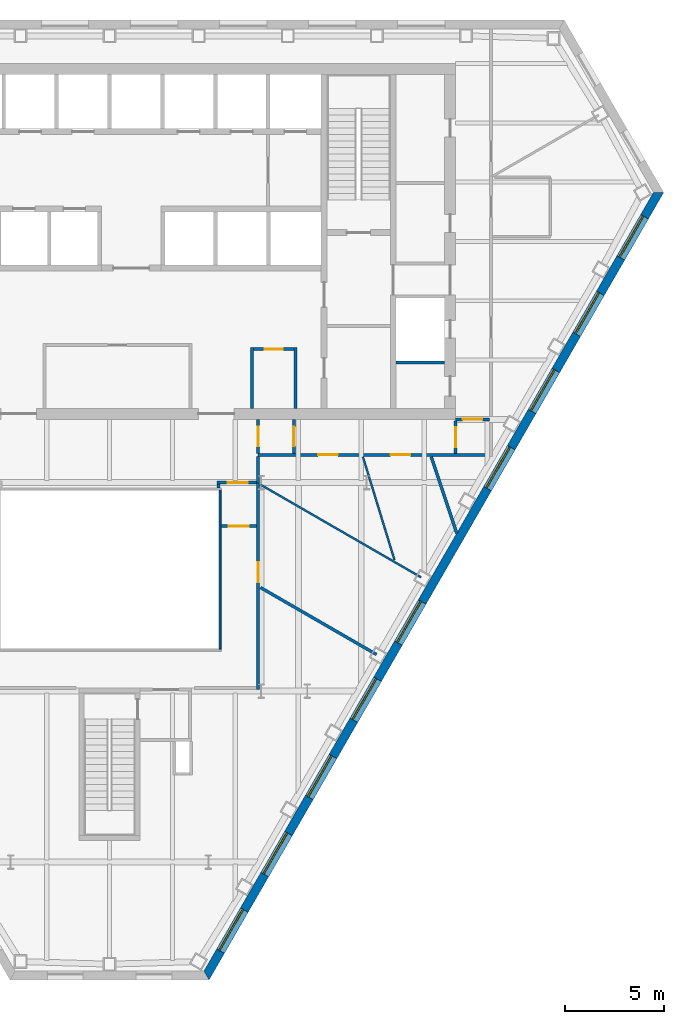
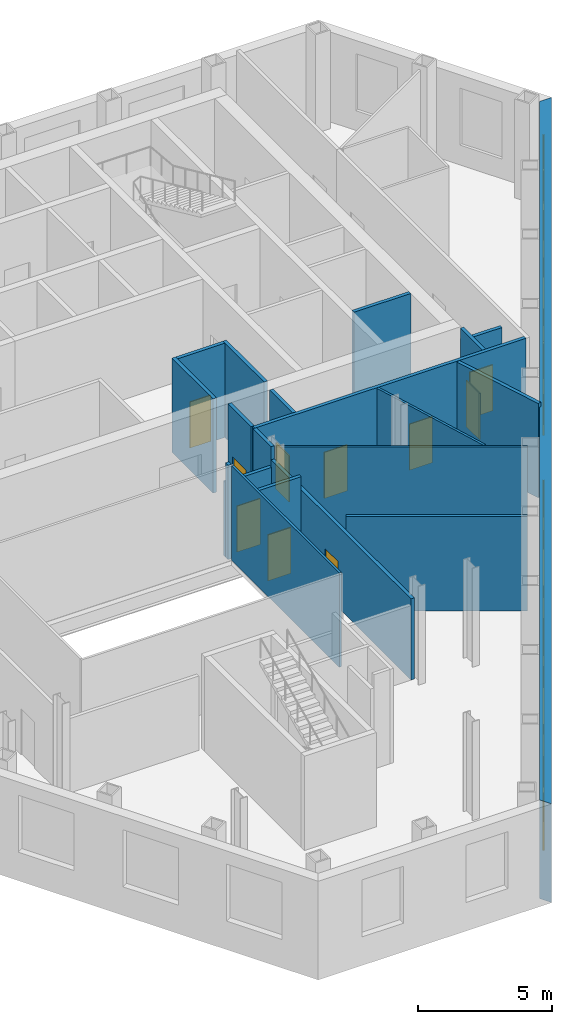
# One storey, part 5 of 11: 20 walls, 10 doors, 9 windows, 19 openings.
"""IFC4 building model written with IfcOpenShell, lengths in metres."""

from ifc_helpers import new_model, si_unit, direction, frame, frame_2d, origin, place, context, subcontext, project, spatial, polyline, rectangle, outline, extrude, material, layer, layer_set, type_object, element, fill, save


model = new_model("IFC4")

# Units and contexts
model_context = context("Model", 3, precision=1e-05, world=origin(), true_north=direction((0.0, 1.0)))
body_context = subcontext(model_context, "Body", "Model", "MODEL_VIEW")
ifc_project = project(units=[si_unit("LENGTHUNIT", "METRE"), si_unit("AREAUNIT", "SQUARE_METRE"), si_unit("VOLUMEUNIT", "CUBIC_METRE"), si_unit("PLANEANGLEUNIT", "RADIAN"), si_unit("MASSUNIT", "GRAM", prefix="KILO")], contexts=[model_context])

# Site, building, storey
site_placement = place(None, origin())
site = spatial("IfcSite", under=ifc_project, at=site_placement, CompositionType="ELEMENT")
building_placement = place(site_placement, origin())
building = spatial("IfcBuilding", under=site, at=building_placement, Name="Njiva Tower", CompositionType="ELEMENT")
storey_placement = place(building_placement, frame((0.0, 0.0, 102.3)))
storey = spatial("IfcBuildingStorey", under=building, at=storey_placement, Name="L21", CompositionType="ELEMENT", Elevation=102.3)

# Walls
ifc_material_1 = material(Name="Blockwork", Category="masonry")
ifc_layer_1 = layer(ifc_material_1, 0.15)
ifc_layer_set_1 = layer_set([ifc_layer_1], Name="Blockwork")
wall_type_1 = type_object("IfcWallType", Name="WT1 Compartment partition 150", PredefinedType="PARTITIONING", material=ifc_layer_set_1)
for number, where, z_axis, x_axis, name in (
    (1, (7.2, 0.55, 0.0), (0.0, 0.0, 1.0), (0.0, 1.0, 0.0), "Tenant reception wall west"),
    (2, (9.4, 0.55, 0.0), (0.0, 0.0, 1.0), (0.0, 1.0, 0.0), "Tenant reception wall east"),
):
    element("IfcWall", number, at=place(storey_placement, frame(where, z_axis=z_axis, x_axis=x_axis)), inside=storey, type_object=wall_type_1, Name=name, PredefinedType="PARTITIONING", context=body_context, shape_type="SweptSolid", body=[
        extrude(rectangle(XDim=3.075, YDim=0.15, at=frame_2d((1.5375, 0.0))), origin(), (0.0, 0.0, 1.0), 4.3),
    ])

# Wall, opening, door
wall_1_placement = place(storey_placement, frame((7.275, 3.55, 0.0), z_axis=(0.0, 0.0, 1.0), x_axis=(1.0, 0.0, 0.0)))
wall_1 = element("IfcWall", 3, at=wall_1_placement, inside=storey, type_object=wall_type_1, Name="Tenant reception wall north", PredefinedType="PARTITIONING", context=body_context, shape_type="SweptSolid", body=[
    extrude(rectangle(XDim=2.05, YDim=0.15, at=frame_2d((1.025, 0.0))), origin(), (0.0, 0.0, 1.0), 4.3),
])
opening_1_placement = place(wall_1_placement, frame((0.575, 0.0, 0.0)))
opening_1 = element("IfcOpeningElement", 4, at=opening_1_placement, cuts=wall_1, Name="Opening S07-D932", PredefinedType="OPENING", context=body_context, shape_type="SweptSolid", body=[
    extrude(rectangle(XDim=0.9, YDim=2.1, at=frame_2d((0.45, 1.05))), frame((0.0, 0.085, 0.0), z_axis=(0.0, -1.0, 0.0), x_axis=(1.0, 0.0, 0.0)), (0.0, 0.0, 1.0), 0.17),
])
ifc_material_2 = material(Name="Steel fire door, painted", Category="steel")
door_type_1 = type_object("IfcDoorType", Name="D6 Fire-rated door 900x2100", OperationType="SINGLE_SWING_LEFT", PredefinedType="DOOR", material=ifc_material_2)
door_1_placement = place(opening_1_placement, origin())
door_1 = element("IfcDoor", 5, at=door_1_placement, inside=storey, type_object=door_type_1, Name="Tenant reception door", OperationType="SINGLE_SWING_RIGHT", OverallHeight=2.1, OverallWidth=0.9, PredefinedType="DOOR", context=body_context, shape_type="SweptSolid", body=[
    extrude(rectangle(XDim=0.9, YDim=2.1, at=frame_2d((0.45, 1.05))), frame((0.0, 0.025, 0.0), z_axis=(0.0, -1.0, 0.0), x_axis=(1.0, 0.0, 0.0)), (0.0, 0.0, 1.0), 0.05),
])
fill(opening_1, door_1)

# Walls
ifc_material_3 = material(Name="Gypsum board on steel studs", Category="gypsum")
ifc_layer_2 = layer(ifc_material_3, 0.1)
ifc_layer_set_2 = layer_set([ifc_layer_2], Name="Gypsum board on steel studs")
wall_type_2 = type_object("IfcWallType", Name="WT20 Gypsum partition 100", PredefinedType="PARTITIONING", material=ifc_layer_set_2)
wall_2_placement = place(storey_placement, frame((7.62, -3.292, 0.0), z_axis=(0.0, 0.0, 1.0), x_axis=(0.866086324858, -0.499894466757, 0.0)))
element("IfcWall", 6, at=wall_2_placement, inside=storey, type_object=wall_type_2, Name="Partition S07-P023", PredefinedType="PARTITIONING", context=body_context, shape_type="SweptSolid", body=[
    extrude(rectangle(XDim=9.394, YDim=0.1, at=frame_2d((4.697, 0.0))), origin(), (0.0, 0.0, 1.0), 4.3),
])
wall_3_placement = place(storey_placement, frame((12.815, -1.89, 0.0), z_axis=(0.0, 0.0, 1.0), x_axis=(0.292567369611, -0.956244913314, 0.0)))
element("IfcWall", 7, at=wall_3_placement, inside=storey, type_object=wall_type_2, Name="Partition S07-P026", PredefinedType="PARTITIONING", context=body_context, shape_type="SweptSolid", body=[
    extrude(rectangle(XDim=5.462, YDim=0.1, at=frame_2d((2.731, 0.0))), origin(), (0.0, 0.0, 1.0), 4.3),
])

# Wall, opening, door
ifc_layer_3 = layer(ifc_material_3, 0.15)
ifc_layer_set_3 = layer_set([ifc_layer_3], Name="Gypsum board on steel studs")
wall_type_3 = type_object("IfcWallType", Name="WT21 Compartment wall 150", PredefinedType="PARTITIONING", material=ifc_layer_set_3)
wall_4_placement = place(storey_placement, frame((5.445, -3.2, 0.0), z_axis=(0.0, 0.0, 1.0), x_axis=(1.0, 0.0, 0.0)))
wall_4 = element("IfcWall", 8, at=wall_4_placement, inside=storey, type_object=wall_type_3, Name="Partition S07-P016", PredefinedType="PARTITIONING", context=body_context, shape_type="SweptSolid", body=[
    extrude(rectangle(XDim=2.0, YDim=0.15, at=frame_2d((1.0, 0.0))), origin(), (0.0, 0.0, 1.0), 3.39),
])
opening_2_placement = place(wall_4_placement, frame((0.538, 0.0, 0.0)))
opening_2 = element("IfcOpeningElement", 9, at=opening_2_placement, cuts=wall_4, Name="Opening S07-D010", PredefinedType="OPENING", context=body_context, shape_type="SweptSolid", body=[
    extrude(rectangle(XDim=1.0, YDim=2.1, at=frame_2d((0.5, 1.05))), frame((0.0, 0.085, 0.0), z_axis=(0.0, -1.0, 0.0), x_axis=(1.0, 0.0, 0.0)), (0.0, 0.0, 1.0), 0.17),
])
ifc_material_4 = material(Name="Steel fire door set", Category="steel")
door_type_2 = type_object("IfcDoorType", Name="D37 Fire door 1000x2100", OperationType="SINGLE_SWING_LEFT", PredefinedType="DOOR", material=ifc_material_4)
door_2_placement = place(opening_2_placement, origin())
door_2 = element("IfcDoor", 10, at=door_2_placement, inside=storey, type_object=door_type_2, Name="Door S07-D010", OperationType="SINGLE_SWING_LEFT", OverallHeight=2.1, OverallWidth=1.0, PredefinedType="DOOR", context=body_context, shape_type="SweptSolid", body=[
    extrude(rectangle(XDim=1.0, YDim=2.1, at=frame_2d((0.5, 1.05))), frame((0.0, 0.025, 0.0), z_axis=(0.0, -1.0, 0.0), x_axis=(1.0, 0.0, 0.0)), (0.0, 0.0, 1.0), 0.05),
])
fill(opening_2, door_2)

# Wall
wall_5_placement = place(storey_placement, frame((5.52, -3.48, 0.0), z_axis=(0.0, 0.0, 1.0), x_axis=(0.0, 1.0, 0.0)))
element("IfcWall", 11, at=wall_5_placement, inside=storey, type_object=wall_type_3, Name="Partition S07-P017", PredefinedType="PARTITIONING", context=body_context, shape_type="SweptSolid", body=[
    extrude(rectangle(XDim=0.205, YDim=0.15, at=frame_2d((0.1025, 0.0))), origin(), (0.0, 0.0, 1.0), 4.3),
])

# Wall, opening, door
wall_6_placement = place(storey_placement, frame((5.64, -5.4, 0.0), z_axis=(0.0, 0.0, 1.0), x_axis=(1.0, 0.0, 0.0)))
wall_6 = element("IfcWall", 12, at=wall_6_placement, inside=storey, type_object=wall_type_3, Name="Partition S07-P018", PredefinedType="PARTITIONING", context=body_context, shape_type="SweptSolid", body=[
    extrude(rectangle(XDim=1.805, YDim=0.15, at=frame_2d((0.9025, 0.0))), origin(), (0.0, 0.0, 1.0), 4.3),
])
opening_3_placement = place(wall_6_placement, frame((0.402, 0.0, 0.0)))
opening_3 = element("IfcOpeningElement", 13, at=opening_3_placement, cuts=wall_6, Name="Opening S07-D011", PredefinedType="OPENING", context=body_context, shape_type="SweptSolid", body=[
    extrude(rectangle(XDim=1.0, YDim=2.1, at=frame_2d((0.5, 1.05))), frame((0.0, 0.085, 0.0), z_axis=(0.0, -1.0, 0.0), x_axis=(1.0, 0.0, 0.0)), (0.0, 0.0, 1.0), 0.17),
])
door_3_placement = place(opening_3_placement, origin())
door_3 = element("IfcDoor", 14, at=door_3_placement, inside=storey, type_object=door_type_2, Name="Door S07-D011", OperationType="SINGLE_SWING_RIGHT", OverallHeight=2.1, OverallWidth=1.0, PredefinedType="DOOR", context=body_context, shape_type="SweptSolid", body=[
    extrude(rectangle(XDim=1.0, YDim=2.1, at=frame_2d((0.5, 1.05))), frame((0.0, 0.025, 0.0), z_axis=(0.0, -1.0, 0.0), x_axis=(1.0, 0.0, 0.0)), (0.0, 0.0, 1.0), 0.05),
])
fill(opening_3, door_3)

wall_7_placement = place(storey_placement, frame((7.52, -13.675, 0.0), z_axis=(0.0, 0.0, 1.0), x_axis=(0.0, 1.0, 0.0)))
wall_7 = element("IfcWall", 15, at=wall_7_placement, inside=storey, type_object=wall_type_3, Name="Partition S07-P019", PredefinedType="PARTITIONING", context=body_context, shape_type="SweptSolid", body=[
    extrude(rectangle(XDim=10.452, YDim=0.15, at=frame_2d((5.226, 0.0))), origin(), (0.0, 0.0, 1.0), 3.7),
])
opening_4_placement = place(wall_7_placement, frame((5.435, 0.0, 0.0)))
opening_4 = element("IfcOpeningElement", 16, at=opening_4_placement, cuts=wall_7, Name="Opening S07-D012", PredefinedType="OPENING", context=body_context, shape_type="SweptSolid", body=[
    extrude(rectangle(XDim=1.0, YDim=2.1, at=frame_2d((0.5, 1.05))), frame((0.0, 0.085, 0.0), z_axis=(0.0, -1.0, 0.0), x_axis=(1.0, 0.0, 0.0)), (0.0, 0.0, 1.0), 0.17),
])
door_4_placement = place(opening_4_placement, origin())
door_4 = element("IfcDoor", 17, at=door_4_placement, inside=storey, type_object=door_type_2, Name="Door S07-D012", OperationType="SINGLE_SWING_RIGHT", OverallHeight=2.1, OverallWidth=1.0, PredefinedType="DOOR", context=body_context, shape_type="SweptSolid", body=[
    extrude(rectangle(XDim=1.0, YDim=2.1, at=frame_2d((0.5, 1.05))), frame((0.0, 0.025, 0.0), z_axis=(0.0, -1.0, 0.0), x_axis=(1.0, 0.0, 0.0)), (0.0, 0.0, 1.0), 0.05),
])
fill(opening_4, door_4)

# Wall
wall_8_placement = place(storey_placement, frame((7.52, -3.223, 0.0), z_axis=(0.0, 0.0, 1.0), x_axis=(0.0, 1.0, 0.0)))
element("IfcWall", 18, at=wall_8_placement, inside=storey, type_object=wall_type_3, Name="Partition S07-P020", PredefinedType="PARTITIONING", context=body_context, shape_type="SweptSolid", body=[
    extrude(rectangle(XDim=1.348, YDim=0.15, at=frame_2d((0.674, 0.0))), origin(), (0.0, 0.0, 1.0), 4.3),
])

# Wall, openings, doors
wall_9_placement = place(storey_placement, frame((7.52, -1.8, 0.0), z_axis=(0.0, 0.0, 1.0), x_axis=(1.0, 0.0, 0.0)))
wall_9 = element("IfcWall", 19, at=wall_9_placement, inside=storey, type_object=wall_type_3, Name="Partition S07-P021", PredefinedType="PARTITIONING", context=body_context, shape_type="SweptSolid", body=[
    extrude(rectangle(XDim=11.705, YDim=0.15, at=frame_2d((5.8525, 0.0))), origin(), (0.0, 0.0, 1.0), 4.3),
])
opening_5_placement = place(wall_9_placement, frame((3.028, 0.0, 0.0)))
opening_5 = element("IfcOpeningElement", 20, at=opening_5_placement, cuts=wall_9, Name="Opening S07-D013", PredefinedType="OPENING", context=body_context, shape_type="SweptSolid", body=[
    extrude(rectangle(XDim=1.0, YDim=2.1, at=frame_2d((0.5, 1.05))), frame((0.0, 0.085, 0.0), z_axis=(0.0, -1.0, 0.0), x_axis=(1.0, 0.0, 0.0)), (0.0, 0.0, 1.0), 0.17),
])
opening_6_placement = place(wall_9_placement, frame((6.7, 0.0, 0.0)))
opening_6 = element("IfcOpeningElement", 21, at=opening_6_placement, cuts=wall_9, Name="Opening S07-D014", PredefinedType="OPENING", context=body_context, shape_type="SweptSolid", body=[
    extrude(rectangle(XDim=1.0, YDim=2.1, at=frame_2d((0.5, 1.05))), frame((0.0, 0.085, 0.0), z_axis=(0.0, -1.0, 0.0), x_axis=(1.0, 0.0, 0.0)), (0.0, 0.0, 1.0), 0.17),
])
door_5_placement = place(opening_5_placement, origin())
door_5 = element("IfcDoor", 22, at=door_5_placement, inside=storey, type_object=door_type_2, Name="Door S07-D013", OperationType="SINGLE_SWING_LEFT", OverallHeight=2.1, OverallWidth=1.0, PredefinedType="DOOR", context=body_context, shape_type="SweptSolid", body=[
    extrude(rectangle(XDim=1.0, YDim=2.1, at=frame_2d((0.5, 1.05))), frame((0.0, 0.025, 0.0), z_axis=(0.0, -1.0, 0.0), x_axis=(1.0, 0.0, 0.0)), (0.0, 0.0, 1.0), 0.05),
])
fill(opening_5, door_5)
door_6_placement = place(opening_6_placement, origin())
door_6 = element("IfcDoor", 23, at=door_6_placement, inside=storey, type_object=door_type_2, Name="Door S07-D014", OperationType="SINGLE_SWING_RIGHT", OverallHeight=2.1, OverallWidth=1.0, PredefinedType="DOOR", context=body_context, shape_type="SweptSolid", body=[
    extrude(rectangle(XDim=1.0, YDim=2.1, at=frame_2d((0.5, 1.05))), frame((0.0, 0.025, 0.0), z_axis=(0.0, -1.0, 0.0), x_axis=(1.0, 0.0, 0.0)), (0.0, 0.0, 1.0), 0.05),
])
fill(opening_6, door_6)

# Wall, opening, door
wall_10_placement = place(storey_placement, frame((7.52, -1.725, 0.0), z_axis=(0.0, 0.0, 1.0), x_axis=(0.0, 1.0, 0.0)))
wall_10 = element("IfcWall", 24, at=wall_10_placement, inside=storey, type_object=wall_type_3, Name="Partition S07-P022", PredefinedType="PARTITIONING", context=body_context, shape_type="SweptSolid", body=[
    extrude(rectangle(XDim=1.725, YDim=0.15, at=frame_2d((0.8625, 0.0))), origin(), (0.0, 0.0, 1.0), 4.3),
])
opening_7_placement = place(wall_10_placement, frame((0.363, 0.0, 0.0)))
opening_7 = element("IfcOpeningElement", 25, at=opening_7_placement, cuts=wall_10, Name="Opening S07-D015", PredefinedType="OPENING", context=body_context, shape_type="SweptSolid", body=[
    extrude(rectangle(XDim=1.0, YDim=2.1, at=frame_2d((0.5, 1.05))), frame((0.0, 0.085, 0.0), z_axis=(0.0, -1.0, 0.0), x_axis=(1.0, 0.0, 0.0)), (0.0, 0.0, 1.0), 0.17),
])
door_7_placement = place(opening_7_placement, origin())
door_7 = element("IfcDoor", 26, at=door_7_placement, inside=storey, type_object=door_type_2, Name="Door S07-D015", OperationType="SINGLE_SWING_RIGHT", OverallHeight=2.1, OverallWidth=1.0, PredefinedType="DOOR", context=body_context, shape_type="SweptSolid", body=[
    extrude(rectangle(XDim=1.0, YDim=2.1, at=frame_2d((0.5, 1.05))), frame((0.0, 0.025, 0.0), z_axis=(0.0, -1.0, 0.0), x_axis=(1.0, 0.0, 0.0)), (0.0, 0.0, 1.0), 0.05),
])
fill(opening_7, door_7)

# Wall
wall_11_placement = place(storey_placement, frame((7.632, -8.505, 0.0), z_axis=(0.0, 0.0, 1.0), x_axis=(0.866092229152, -0.499884237201, 0.0)))
element("IfcWall", 27, at=wall_11_placement, inside=storey, type_object=wall_type_3, Name="Partition S07-P024", PredefinedType="PARTITIONING", context=body_context, shape_type="SweptSolid", body=[
    extrude(rectangle(XDim=6.7776, YDim=0.15, at=frame_2d((3.3888, 0.0))), origin(), (0.0, 0.0, 1.0), 4.3),
])

# Wall, opening, door
wall_12_placement = place(storey_placement, frame((9.32, -1.725, 0.0), z_axis=(0.0, 0.0, 1.0), x_axis=(0.0, 1.0, 0.0)))
wall_12 = element("IfcWall", 28, at=wall_12_placement, inside=storey, type_object=wall_type_3, Name="Partition S07-P025", PredefinedType="PARTITIONING", context=body_context, shape_type="SweptSolid", body=[
    extrude(rectangle(XDim=1.725, YDim=0.15, at=frame_2d((0.8625, 0.0))), origin(), (0.0, 0.0, 1.0), 4.3),
])
opening_8_placement = place(wall_12_placement, frame((0.363, 0.0, 0.0)))
opening_8 = element("IfcOpeningElement", 29, at=opening_8_placement, cuts=wall_12, Name="Opening S07-D016", PredefinedType="OPENING", context=body_context, shape_type="SweptSolid", body=[
    extrude(rectangle(XDim=1.0, YDim=2.1, at=frame_2d((0.5, 1.05))), frame((0.0, 0.085, 0.0), z_axis=(0.0, -1.0, 0.0), x_axis=(1.0, 0.0, 0.0)), (0.0, 0.0, 1.0), 0.17),
])
door_8_placement = place(opening_8_placement, origin())
door_8 = element("IfcDoor", 30, at=door_8_placement, inside=storey, type_object=door_type_2, Name="Door S07-D016", OperationType="SINGLE_SWING_RIGHT", OverallHeight=2.1, OverallWidth=1.0, PredefinedType="DOOR", context=body_context, shape_type="SweptSolid", body=[
    extrude(rectangle(XDim=1.0, YDim=2.1, at=frame_2d((0.5, 1.05))), frame((0.0, 0.025, 0.0), z_axis=(0.0, -1.0, 0.0), x_axis=(1.0, 0.0, 0.0)), (0.0, 0.0, 1.0), 0.05),
])
fill(opening_8, door_8)

# Wall
wall_13_placement = place(storey_placement, frame((16.275, -1.899, 0.0), z_axis=(0.0, 0.0, 1.0), x_axis=(0.31563818617, -0.948879621149, 0.0)))
element("IfcWall", 31, at=wall_13_placement, inside=storey, type_object=wall_type_3, Name="Partition S07-P027", PredefinedType="PARTITIONING", context=body_context, shape_type="SweptSolid", body=[
    extrude(rectangle(XDim=4.0711, YDim=0.15, at=frame_2d((2.0356, 0.0))), origin(), (0.0, 0.0, 1.0), 4.3),
])

# Wall, opening, door
wall_14_placement = place(storey_placement, frame((17.5, -1.725, 0.0), z_axis=(0.0, 0.0, 1.0), x_axis=(0.0, 1.0, 0.0)))
wall_14 = element("IfcWall", 32, at=wall_14_placement, inside=storey, type_object=wall_type_3, Name="Partition S07-P028", PredefinedType="PARTITIONING", context=body_context, shape_type="SweptSolid", body=[
    extrude(rectangle(XDim=1.65, YDim=0.15, at=frame_2d((0.825, 0.0))), origin(), (0.0, 0.0, 1.0), 4.3),
])
opening_9_placement = place(wall_14_placement, frame((0.325, 0.0, 0.0)))
opening_9 = element("IfcOpeningElement", 33, at=opening_9_placement, cuts=wall_14, Name="Opening S07-D017", PredefinedType="OPENING", context=body_context, shape_type="SweptSolid", body=[
    extrude(rectangle(XDim=1.0, YDim=2.1, at=frame_2d((0.5, 1.05))), frame((0.0, 0.085, 0.0), z_axis=(0.0, -1.0, 0.0), x_axis=(1.0, 0.0, 0.0)), (0.0, 0.0, 1.0), 0.17),
])
door_9_placement = place(opening_9_placement, origin())
door_9 = element("IfcDoor", 34, at=door_9_placement, inside=storey, type_object=door_type_2, Name="Door S07-D017", OperationType="SINGLE_SWING_RIGHT", OverallHeight=2.1, OverallWidth=1.0, PredefinedType="DOOR", context=body_context, shape_type="SweptSolid", body=[
    extrude(rectangle(XDim=1.0, YDim=2.1, at=frame_2d((0.5, 1.05))), frame((0.0, 0.025, 0.0), z_axis=(0.0, -1.0, 0.0), x_axis=(1.0, 0.0, 0.0)), (0.0, 0.0, 1.0), 0.05),
])
fill(opening_9, door_9)

wall_15_placement = place(storey_placement, frame((17.5, 0.0, 0.0), z_axis=(0.0, 0.0, 1.0), x_axis=(1.0, 0.0, 0.0)))
wall_15 = element("IfcWall", 35, at=wall_15_placement, inside=storey, type_object=wall_type_3, Name="Partition S07-P029", PredefinedType="PARTITIONING", context=body_context, shape_type="SweptSolid", body=[
    extrude(rectangle(XDim=1.725, YDim=0.15, at=frame_2d((0.8625, 0.0))), origin(), (0.0, 0.0, 1.0), 3.7),
])
opening_10_placement = place(wall_15_placement, frame((0.363, 0.0, 0.0)))
opening_10 = element("IfcOpeningElement", 36, at=opening_10_placement, cuts=wall_15, Name="Opening S07-D018", PredefinedType="OPENING", context=body_context, shape_type="SweptSolid", body=[
    extrude(rectangle(XDim=1.0, YDim=2.1, at=frame_2d((0.5, 1.05))), frame((0.0, 0.085, 0.0), z_axis=(0.0, -1.0, 0.0), x_axis=(1.0, 0.0, 0.0)), (0.0, 0.0, 1.0), 0.17),
])
door_10_placement = place(opening_10_placement, origin())
door_10 = element("IfcDoor", 37, at=door_10_placement, inside=storey, type_object=door_type_2, Name="Door S07-D018", OperationType="SINGLE_SWING_LEFT", OverallHeight=2.1, OverallWidth=1.0, PredefinedType="DOOR", context=body_context, shape_type="SweptSolid", body=[
    extrude(rectangle(XDim=1.0, YDim=2.1, at=frame_2d((0.5, 1.05))), frame((0.0, 0.025, 0.0), z_axis=(0.0, -1.0, 0.0), x_axis=(1.0, 0.0, 0.0)), (0.0, 0.0, 1.0), 0.05),
])
fill(opening_10, door_10)

# Wall
ifc_layer_4 = layer(ifc_material_1, 0.15)
ifc_layer_set_4 = layer_set([ifc_layer_4], Name="Blockwork")
wall_type_4 = type_object("IfcWallType", Name="WT3 Riser partition 150", PredefinedType="PARTITIONING", material=ifc_layer_set_4)
wall_16_placement = place(storey_placement, frame((14.5, 2.8809, 0.0), z_axis=(0.0, 0.0, 1.0), x_axis=(1.0, 0.0, 0.0)))
element("IfcWall", 38, at=wall_16_placement, inside=storey, type_object=wall_type_4, Name="Partition strip E00", PredefinedType="PARTITIONING", context=body_context, shape_type="SweptSolid", body=[
    extrude(rectangle(XDim=2.45, YDim=0.15, at=frame_2d((1.225, 0.0))), origin(), (0.0, 0.0, 1.0), 4.3),
])

# Wall, openings, windows
ifc_material_5 = material(Name="Brick masonry", Category="masonry")
ifc_layer_5 = layer(ifc_material_5, 0.45)
ifc_layer_set_5 = layer_set([ifc_layer_5], Name="Brick masonry")
wall_type_5 = type_object("IfcWallType", Name="WT90 Brick pier and spandrel wall 450", PredefinedType="SOLIDWALL", material=ifc_layer_set_5)
wall_17_placement = place(storey_placement, frame((4.9051, -28.133, -0.4), z_axis=(0.0, 0.0, 1.0), x_axis=(0.500000711659, 0.866024992908, 0.0)))
wall_17 = element("IfcWall", 39, at=wall_17_placement, inside=storey, type_object=wall_type_5, Name="Facade wall SE", PredefinedType="SOLIDWALL", context=body_context, shape_type="SweptSolid", body=[
    extrude(outline(polyline([(-0.1299, -0.225), (45.87, -0.225), (45.6102, 0.225), (0.1299, 0.225), (-0.1299, -0.225)])), origin(), (0.0, 0.0, 1.0), 4.5),
])
opening_11_placement = place(wall_17_placement, frame((1.4242, 0.0, 1.3)))
opening_11 = element("IfcOpeningElement", 40, at=opening_11_placement, cuts=wall_17, Name="Opening S07-W24", PredefinedType="OPENING", context=body_context, shape_type="SweptSolid", body=[
    extrude(rectangle(XDim=2.4, YDim=2.6, at=frame_2d((1.2, 1.3))), frame((0.0, 0.235, 0.0), z_axis=(0.0, -1.0, 0.0), x_axis=(1.0, 0.0, 0.0)), (0.0, 0.0, 1.0), 0.47),
])
opening_12_placement = place(wall_17_placement, frame((5.8934, 0.0, 1.3)))
opening_12 = element("IfcOpeningElement", 41, at=opening_12_placement, cuts=wall_17, Name="Opening S07-W25", PredefinedType="OPENING", context=body_context, shape_type="SweptSolid", body=[
    extrude(rectangle(XDim=2.4, YDim=2.6, at=frame_2d((1.2, 1.3))), frame((0.0, 0.235, 0.0), z_axis=(0.0, -1.0, 0.0), x_axis=(1.0, 0.0, 0.0)), (0.0, 0.0, 1.0), 0.47),
])
opening_13_placement = place(wall_17_placement, frame((10.401, 0.0, 1.3)))
opening_13 = element("IfcOpeningElement", 42, at=opening_13_placement, cuts=wall_17, Name="Opening S07-W26", PredefinedType="OPENING", context=body_context, shape_type="SweptSolid", body=[
    extrude(rectangle(XDim=2.4, YDim=2.6, at=frame_2d((1.2, 1.3))), frame((0.0, 0.235, 0.0), z_axis=(0.0, -1.0, 0.0), x_axis=(1.0, 0.0, 0.0)), (0.0, 0.0, 1.0), 0.47),
])
opening_14_placement = place(wall_17_placement, frame((14.9087, 0.0, 1.3)))
opening_14 = element("IfcOpeningElement", 43, at=opening_14_placement, cuts=wall_17, Name="Opening S07-W27", PredefinedType="OPENING", context=body_context, shape_type="SweptSolid", body=[
    extrude(rectangle(XDim=2.4, YDim=2.6, at=frame_2d((1.2, 1.3))), frame((0.0, 0.235, 0.0), z_axis=(0.0, -1.0, 0.0), x_axis=(1.0, 0.0, 0.0)), (0.0, 0.0, 1.0), 0.47),
])
opening_15_placement = place(wall_17_placement, frame((19.4163, 0.0, 1.3)))
opening_15 = element("IfcOpeningElement", 44, at=opening_15_placement, cuts=wall_17, Name="Opening S07-W28", PredefinedType="OPENING", context=body_context, shape_type="SweptSolid", body=[
    extrude(rectangle(XDim=2.4, YDim=2.6, at=frame_2d((1.2, 1.3))), frame((0.0, 0.235, 0.0), z_axis=(0.0, -1.0, 0.0), x_axis=(1.0, 0.0, 0.0)), (0.0, 0.0, 1.0), 0.47),
])
opening_16_placement = place(wall_17_placement, frame((28.4315, 0.0, 1.3)))
opening_16 = element("IfcOpeningElement", 45, at=opening_16_placement, cuts=wall_17, Name="Opening S07-W29", PredefinedType="OPENING", context=body_context, shape_type="SweptSolid", body=[
    extrude(rectangle(XDim=2.4, YDim=2.6, at=frame_2d((1.2, 1.3))), frame((0.0, 0.235, 0.0), z_axis=(0.0, -1.0, 0.0), x_axis=(1.0, 0.0, 0.0)), (0.0, 0.0, 1.0), 0.47),
])
opening_17_placement = place(wall_17_placement, frame((32.9391, 0.0, 1.3)))
opening_17 = element("IfcOpeningElement", 46, at=opening_17_placement, cuts=wall_17, Name="Opening S07-W30", PredefinedType="OPENING", context=body_context, shape_type="SweptSolid", body=[
    extrude(rectangle(XDim=2.4, YDim=2.6, at=frame_2d((1.2, 1.3))), frame((0.0, 0.235, 0.0), z_axis=(0.0, -1.0, 0.0), x_axis=(1.0, 0.0, 0.0)), (0.0, 0.0, 1.0), 0.47),
])
opening_18_placement = place(wall_17_placement, frame((37.4468, 0.0, 1.3)))
opening_18 = element("IfcOpeningElement", 47, at=opening_18_placement, cuts=wall_17, Name="Opening S07-W31", PredefinedType="OPENING", context=body_context, shape_type="SweptSolid", body=[
    extrude(rectangle(XDim=2.4, YDim=2.6, at=frame_2d((1.2, 1.3))), frame((0.0, 0.235, 0.0), z_axis=(0.0, -1.0, 0.0), x_axis=(1.0, 0.0, 0.0)), (0.0, 0.0, 1.0), 0.47),
])
opening_19_placement = place(wall_17_placement, frame((41.916, 0.0, 1.3)))
opening_19 = element("IfcOpeningElement", 48, at=opening_19_placement, cuts=wall_17, Name="Opening S07-W32", PredefinedType="OPENING", context=body_context, shape_type="SweptSolid", body=[
    extrude(rectangle(XDim=2.4, YDim=2.6, at=frame_2d((1.2, 1.3))), frame((0.0, 0.235, 0.0), z_axis=(0.0, -1.0, 0.0), x_axis=(1.0, 0.0, 0.0)), (0.0, 0.0, 1.0), 0.47),
])
ifc_material_6 = material(Name="Clear glazing in aluminium frame", Category="aluminium")
window_type = type_object("IfcWindowType", Name="W92 Deep-set window 2400x2600", PartitioningType="SINGLE_PANEL", PredefinedType="WINDOW", material=ifc_material_6)
window_1_placement = place(opening_11_placement, origin())
window_1 = element("IfcWindow", 49, at=window_1_placement, inside=storey, type_object=window_type, Name="Window", OverallHeight=2.6, OverallWidth=2.4, PartitioningType="SINGLE_PANEL", PredefinedType="WINDOW", context=body_context, shape_type="SweptSolid", body=[
    extrude(rectangle(XDim=2.4, YDim=2.6, at=frame_2d((1.2, 1.3))), frame((0.0, 0.105, 0.0), z_axis=(0.0, -1.0, 0.0), x_axis=(1.0, 0.0, 0.0)), (0.0, 0.0, 1.0), 0.06),
])
fill(opening_11, window_1)
window_2_placement = place(opening_12_placement, origin())
window_2 = element("IfcWindow", 50, at=window_2_placement, inside=storey, type_object=window_type, Name="Window", OverallHeight=2.6, OverallWidth=2.4, PartitioningType="SINGLE_PANEL", PredefinedType="WINDOW", context=body_context, shape_type="SweptSolid", body=[
    extrude(rectangle(XDim=2.4, YDim=2.6, at=frame_2d((1.2, 1.3))), frame((0.0, 0.105, 0.0), z_axis=(0.0, -1.0, 0.0), x_axis=(1.0, 0.0, 0.0)), (0.0, 0.0, 1.0), 0.06),
])
fill(opening_12, window_2)
window_3_placement = place(opening_13_placement, origin())
window_3 = element("IfcWindow", 51, at=window_3_placement, inside=storey, type_object=window_type, Name="Window", OverallHeight=2.6, OverallWidth=2.4, PartitioningType="SINGLE_PANEL", PredefinedType="WINDOW", context=body_context, shape_type="SweptSolid", body=[
    extrude(rectangle(XDim=2.4, YDim=2.6, at=frame_2d((1.2, 1.3))), frame((0.0, 0.105, 0.0), z_axis=(0.0, -1.0, 0.0), x_axis=(1.0, 0.0, 0.0)), (0.0, 0.0, 1.0), 0.06),
])
fill(opening_13, window_3)
window_4_placement = place(opening_14_placement, origin())
window_4 = element("IfcWindow", 52, at=window_4_placement, inside=storey, type_object=window_type, Name="Window", OverallHeight=2.6, OverallWidth=2.4, PartitioningType="SINGLE_PANEL", PredefinedType="WINDOW", context=body_context, shape_type="SweptSolid", body=[
    extrude(rectangle(XDim=2.4, YDim=2.6, at=frame_2d((1.2, 1.3))), frame((0.0, 0.105, 0.0), z_axis=(0.0, -1.0, 0.0), x_axis=(1.0, 0.0, 0.0)), (0.0, 0.0, 1.0), 0.06),
])
fill(opening_14, window_4)
window_5_placement = place(opening_15_placement, origin())
window_5 = element("IfcWindow", 53, at=window_5_placement, inside=storey, type_object=window_type, Name="Window", OverallHeight=2.6, OverallWidth=2.4, PartitioningType="SINGLE_PANEL", PredefinedType="WINDOW", context=body_context, shape_type="SweptSolid", body=[
    extrude(rectangle(XDim=2.4, YDim=2.6, at=frame_2d((1.2, 1.3))), frame((0.0, 0.105, 0.0), z_axis=(0.0, -1.0, 0.0), x_axis=(1.0, 0.0, 0.0)), (0.0, 0.0, 1.0), 0.06),
])
fill(opening_15, window_5)
window_6_placement = place(opening_16_placement, origin())
window_6 = element("IfcWindow", 54, at=window_6_placement, inside=storey, type_object=window_type, Name="Window", OverallHeight=2.6, OverallWidth=2.4, PartitioningType="SINGLE_PANEL", PredefinedType="WINDOW", context=body_context, shape_type="SweptSolid", body=[
    extrude(rectangle(XDim=2.4, YDim=2.6, at=frame_2d((1.2, 1.3))), frame((0.0, 0.105, 0.0), z_axis=(0.0, -1.0, 0.0), x_axis=(1.0, 0.0, 0.0)), (0.0, 0.0, 1.0), 0.06),
])
fill(opening_16, window_6)
window_7_placement = place(opening_17_placement, origin())
window_7 = element("IfcWindow", 55, at=window_7_placement, inside=storey, type_object=window_type, Name="Window", OverallHeight=2.6, OverallWidth=2.4, PartitioningType="SINGLE_PANEL", PredefinedType="WINDOW", context=body_context, shape_type="SweptSolid", body=[
    extrude(rectangle(XDim=2.4, YDim=2.6, at=frame_2d((1.2, 1.3))), frame((0.0, 0.105, 0.0), z_axis=(0.0, -1.0, 0.0), x_axis=(1.0, 0.0, 0.0)), (0.0, 0.0, 1.0), 0.06),
])
fill(opening_17, window_7)
window_8_placement = place(opening_18_placement, origin())
window_8 = element("IfcWindow", 56, at=window_8_placement, inside=storey, type_object=window_type, Name="Window", OverallHeight=2.6, OverallWidth=2.4, PartitioningType="SINGLE_PANEL", PredefinedType="WINDOW", context=body_context, shape_type="SweptSolid", body=[
    extrude(rectangle(XDim=2.4, YDim=2.6, at=frame_2d((1.2, 1.3))), frame((0.0, 0.105, 0.0), z_axis=(0.0, -1.0, 0.0), x_axis=(1.0, 0.0, 0.0)), (0.0, 0.0, 1.0), 0.06),
])
fill(opening_18, window_8)
window_9_placement = place(opening_19_placement, origin())
window_9 = element("IfcWindow", 57, at=window_9_placement, inside=storey, type_object=window_type, Name="Window", OverallHeight=2.6, OverallWidth=2.4, PartitioningType="SINGLE_PANEL", PredefinedType="WINDOW", context=body_context, shape_type="SweptSolid", body=[
    extrude(rectangle(XDim=2.4, YDim=2.6, at=frame_2d((1.2, 1.3))), frame((0.0, 0.105, 0.0), z_axis=(0.0, -1.0, 0.0), x_axis=(1.0, 0.0, 0.0)), (0.0, 0.0, 1.0), 0.06),
])
fill(opening_19, window_9)

# Wall
ifc_material_7 = material(Name="Fire-resisting glazing EI 90", Category="glass")
ifc_layer_6 = layer(ifc_material_7, 0.1)
ifc_layer_set_6 = layer_set([ifc_layer_6], Name="Fire-resisting glazing EI 90")
wall_type_6 = type_object("IfcWallType", Name="WT95 Fire-resisting glazed screen EI 90", PredefinedType="PARTITIONING", material=ifc_layer_set_6)
wall_18_placement = place(storey_placement, frame((5.59, -11.62, 0.0), z_axis=(0.0, 0.0, 1.0), x_axis=(0.0, 1.0, 0.0)))
element("IfcWall", 58, at=wall_18_placement, inside=storey, type_object=wall_type_6, Name="Atrium fire screen east", PredefinedType="PARTITIONING", context=body_context, shape_type="SweptSolid", body=[
    extrude(rectangle(XDim=8.04, YDim=0.1, at=frame_2d((4.02, 0.0))), origin(), (0.0, 0.0, 1.0), 4.3),
])

save(model, "model.ifc")
